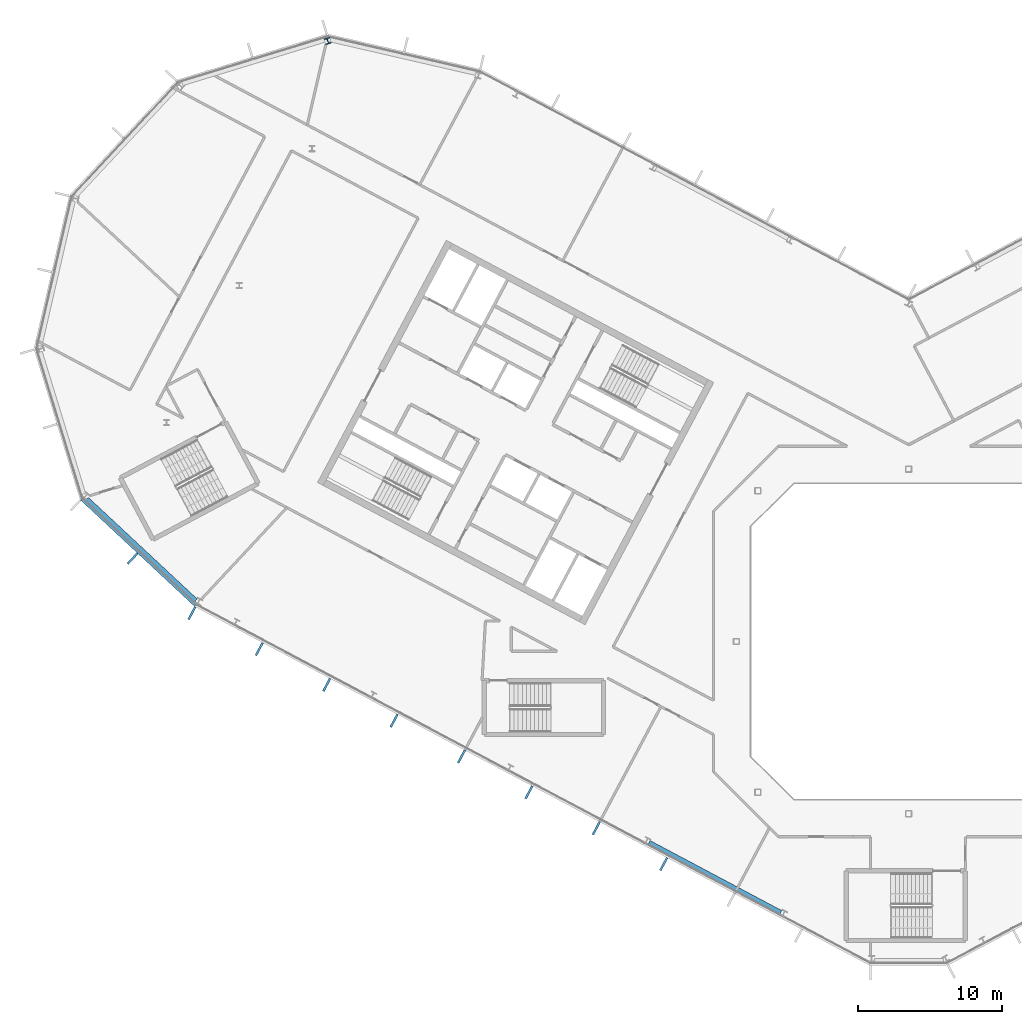
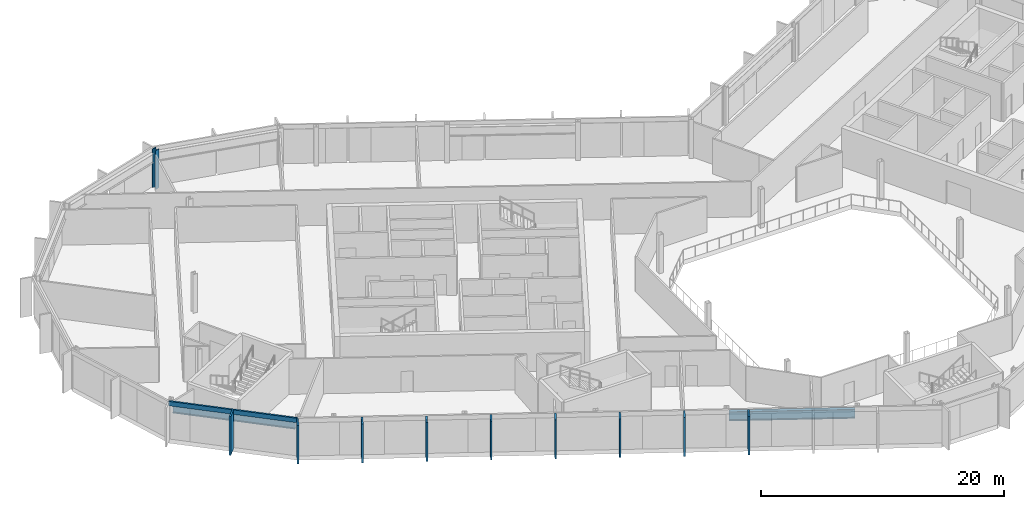
# One storey, part 8 of 26: 10 members, 2 beams, 1 column, 2 elements without a shape of their own.
"""IFC4 building model written with IfcOpenShell, lengths in metres."""

from ifc_helpers import new_model, si_unit, direction, frame, origin, origin_2d, place, context, subcontext, project, spatial, rectangle, i_section, extrude, material, layer, layer_set, material_profile, profile_set, type_object, element, aggregate, save


model = new_model("IFC4")

# Units and contexts
model_context = context("Model", 3, precision=1e-05, world=origin(), true_north=direction((0.0, 1.0)))
body_context = subcontext(model_context, "Body", "Model", "MODEL_VIEW")
ifc_project = project(units=[si_unit("LENGTHUNIT", "METRE"), si_unit("AREAUNIT", "SQUARE_METRE"), si_unit("VOLUMEUNIT", "CUBIC_METRE"), si_unit("PLANEANGLEUNIT", "RADIAN"), si_unit("MASSUNIT", "GRAM", prefix="KILO")], contexts=[model_context])

# Site, building, storey
site_placement = place(None, origin())
site = spatial("IfcSite", under=ifc_project, at=site_placement, CompositionType="ELEMENT")
building_placement = place(site_placement, origin())
building = spatial("IfcBuilding", under=site, at=building_placement, Name="Cormorant Relay Tower", CompositionType="ELEMENT")
storey_placement = place(building_placement, frame((0.0, 0.0, 320.39990234375)))
storey = spatial("IfcBuildingStorey", under=building, at=storey_placement, Name="L73", CompositionType="ELEMENT", Elevation=320.39990234375)

# Column
ifc_material_1 = material(Name="Steel ASTM A992 (Fy 345 MPa)", Category="steel")
ifc_material_profile_1 = material_profile(ifc_material_1, i_section(OverallWidth=0.40380859375, OverallDepth=0.406494140625, WebThickness=0.027099609375, FlangeThickness=0.043701171875, FilletRadius=0.01513671875, at=origin_2d()), Name="W360x347")
ifc_profile_set_1 = profile_set([ifc_material_profile_1], Name="Steel ASTM A992 (Fy 345 MPa)")
column_type = type_object("IfcColumnType", Name="Column W360x347", PredefinedType="COLUMN", material=ifc_profile_set_1)
column_placement = place(storey_placement, frame((-40.455078125, 41.823974609375, 0.0), z_axis=(0.0, 0.0, 1.0), x_axis=(-0.956304755963, -0.292371704723, 0.0)))
element("IfcColumn", 1, at=column_placement, inside=storey, type_object=column_type, Name="Column L73-043", PredefinedType="COLUMN", context=body_context, shape_type="SweptSolid", body=[
    extrude(i_section(OverallWidth=0.40380859375, OverallDepth=0.406494140625, WebThickness=0.027099609375, FlangeThickness=0.043701171875, FilletRadius=0.01513671875, at=origin_2d()), origin(), (0.0, 0.0, 1.0), 3.900146484375),
])

# Curtain wall, member
ifc_material_2 = material(Name="Aluminium 6063-T6 anodised bronze", Category="aluminium")
ifc_layer = layer(ifc_material_2, 0.199951171875)
ifc_layer_set = layer_set([ifc_layer], Name="CW1 unitised bronze curtain wall with vertical fins")
curtain_wall_type = type_object("IfcCurtainWallType", Name="CW1 unitised bronze curtain wall with vertical fins", PredefinedType="NOTDEFINED", material=ifc_layer_set)
curtain_wall_1_placement = place(storey_placement, origin())
curtain_wall_1 = element("IfcCurtainWall", 2, at=curtain_wall_1_placement, inside=storey, type_object=curtain_wall_type, Name="CW1 curtain wall 15", PredefinedType="NOTDEFINED")
ifc_material_3 = material(Name="Aluminium 6063-T6 anodised bronze", Category="aluminium")
ifc_material_profile_2 = material_profile(ifc_material_3, rectangle(XDim=0.14990234375, YDim=1.0, at=origin_2d()), Name="AL 150x1000")
ifc_profile_set_2 = profile_set([ifc_material_profile_2], Name="Aluminium 6063-T6 anodised bronze")
member_type_1 = type_object("IfcMemberType", Name="CW1 bronze fin mullion 150 x 1000", PredefinedType="MULLION", material=ifc_profile_set_2)
member_1_placement = place(storey_placement, frame((-54.0439453125, 5.779296875, 0.0), z_axis=(0.0, 0.0, 1.0), x_axis=(0.731353701619, -0.681998360062, 0.0)))
member_1 = element("IfcMember", 3, at=member_1_placement, type_object=member_type_1, Name="CW1 fin 15.2", PredefinedType="MULLION", context=body_context, shape_type="SweptSolid", body=[
    extrude(rectangle(XDim=0.14990234375, YDim=1.0, at=origin_2d()), origin(), (0.0, 0.0, 1.0), 3.900146484375),
])

# Curtain wall, members
curtain_wall_2_placement = place(storey_placement, origin())
curtain_wall_2 = element("IfcCurtainWall", 4, at=curtain_wall_2_placement, inside=storey, type_object=curtain_wall_type, Name="CW1 curtain wall 16", PredefinedType="NOTDEFINED")
member_2_placement = place(storey_placement, frame((-49.920166015625, 1.96630859375, 0.0), z_axis=(0.0, 0.0, 1.0), x_axis=(0.882947592859, -0.469471562786, 0.0)))
member_2 = element("IfcMember", 5, at=member_2_placement, type_object=member_type_1, Name="CW1 fin 16.1", PredefinedType="MULLION", context=body_context, shape_type="SweptSolid", body=[
    extrude(rectangle(XDim=0.14990234375, YDim=1.0, at=origin_2d()), origin(), (0.0, 0.0, 1.0), 3.900146484375),
])
member_3_placement = place(storey_placement, frame((-45.225830078125, -0.52978515625, 0.0), z_axis=(0.0, 0.0, 1.0), x_axis=(0.882947592859, -0.469471562786, 0.0)))
member_3 = element("IfcMember", 6, at=member_3_placement, type_object=member_type_1, Name="CW1 fin 16.2", PredefinedType="MULLION", context=body_context, shape_type="SweptSolid", body=[
    extrude(rectangle(XDim=0.14990234375, YDim=1.0, at=origin_2d()), origin(), (0.0, 0.0, 1.0), 3.900146484375),
])
member_4_placement = place(storey_placement, frame((-40.531494140625, -3.025634765625, 0.0), z_axis=(0.0, 0.0, 1.0), x_axis=(0.882947592859, -0.469471562786, 0.0)))
member_4 = element("IfcMember", 7, at=member_4_placement, type_object=member_type_1, Name="CW1 fin 16.3", PredefinedType="MULLION", context=body_context, shape_type="SweptSolid", body=[
    extrude(rectangle(XDim=0.14990234375, YDim=1.0, at=origin_2d()), origin(), (0.0, 0.0, 1.0), 3.900146484375),
])
member_5_placement = place(storey_placement, frame((-35.83740234375, -5.521728515625, 0.0), z_axis=(0.0, 0.0, 1.0), x_axis=(0.882947592859, -0.469471562786, 0.0)))
member_5 = element("IfcMember", 8, at=member_5_placement, type_object=member_type_1, Name="CW1 fin 16.4", PredefinedType="MULLION", context=body_context, shape_type="SweptSolid", body=[
    extrude(rectangle(XDim=0.14990234375, YDim=1.0, at=origin_2d()), origin(), (0.0, 0.0, 1.0), 3.900146484375),
])
member_6_placement = place(storey_placement, frame((-31.14306640625, -8.017578125, 0.0), z_axis=(0.0, 0.0, 1.0), x_axis=(0.882947592859, -0.469471562786, 0.0)))
member_6 = element("IfcMember", 9, at=member_6_placement, type_object=member_type_1, Name="CW1 fin 16.5", PredefinedType="MULLION", context=body_context, shape_type="SweptSolid", body=[
    extrude(rectangle(XDim=0.14990234375, YDim=1.0, at=origin_2d()), origin(), (0.0, 0.0, 1.0), 3.900146484375),
])
member_7_placement = place(storey_placement, frame((-26.44873046875, -10.513671875, 0.0), z_axis=(0.0, 0.0, 1.0), x_axis=(0.882947592859, -0.469471562786, 0.0)))
member_7 = element("IfcMember", 10, at=member_7_placement, type_object=member_type_1, Name="CW1 fin 16.6", PredefinedType="MULLION", context=body_context, shape_type="SweptSolid", body=[
    extrude(rectangle(XDim=0.14990234375, YDim=1.0, at=origin_2d()), origin(), (0.0, 0.0, 1.0), 3.900146484375),
])
member_8_placement = place(storey_placement, frame((-21.754638671875, -13.009765625, 0.0), z_axis=(0.0, 0.0, 1.0), x_axis=(0.882947592859, -0.469471562786, 0.0)))
member_8 = element("IfcMember", 11, at=member_8_placement, type_object=member_type_1, Name="CW1 fin 16.7", PredefinedType="MULLION", context=body_context, shape_type="SweptSolid", body=[
    extrude(rectangle(XDim=0.14990234375, YDim=1.0, at=origin_2d()), origin(), (0.0, 0.0, 1.0), 3.900146484375),
])
member_9_placement = place(storey_placement, frame((-17.060302734375, -15.505615234375, 0.0), z_axis=(0.0, 0.0, 1.0), x_axis=(0.882947592859, -0.469471562786, 0.0)))
member_9 = element("IfcMember", 12, at=member_9_placement, type_object=member_type_1, Name="CW1 fin 16.8", PredefinedType="MULLION", context=body_context, shape_type="SweptSolid", body=[
    extrude(rectangle(XDim=0.14990234375, YDim=1.0, at=origin_2d()), origin(), (0.0, 0.0, 1.0), 3.900146484375),
])
aggregate(curtain_wall_2, [member_2, member_3, member_4, member_5, member_6, member_7, member_8, member_9])

# Member
ifc_material_4 = material(Name="Aluminium 6063-T6 anodised bronze", Category="aluminium")
ifc_material_profile_3 = material_profile(ifc_material_4, rectangle(XDim=0.159912109375, YDim=0.449951171875, at=origin_2d()), Name="AL 160x450")
ifc_profile_set_3 = profile_set([ifc_material_profile_3], Name="Aluminium 6063-T6 anodised bronze")
member_type_2 = type_object("IfcMemberType", Name="CW1 bronze transom 160 x 450", PredefinedType="USERDEFINED", material=ifc_profile_set_3)
member_10_placement = place(storey_placement, frame((-57.62353515625, 9.91015625, 3.675048828125), z_axis=(0.731358420696, -0.681993299437, 0.0), x_axis=(0.681993299437, 0.731358420696, 0.0)))
member_10 = element("IfcMember", 13, at=member_10_placement, type_object=member_type_2, Name="CW1 transom 15", ObjectType="TRANSOM", PredefinedType="USERDEFINED", context=body_context, shape_type="SweptSolid", body=[
    extrude(rectangle(XDim=0.159912109375, YDim=0.449951171875, at=origin_2d()), origin(), (0.0, 0.0, 1.0), 10.870361328125),
])

aggregate(curtain_wall_1, [member_1, member_10])

# Beams
ifc_material_5 = material(Name="Steel ASTM A992 (Fy 345 MPa)", Category="steel")
ifc_material_profile_4 = material_profile(ifc_material_5, i_section(OverallWidth=0.307373046875, OverallDepth=0.927001953125, WebThickness=0.019287109375, FlangeThickness=0.031982421875, FilletRadius=0.01904296875, at=origin_2d()), Name="W920x289")
ifc_profile_set_4 = profile_set([ifc_material_profile_4], Name="Steel ASTM A992 (Fy 345 MPa)")
beam_type = type_object("IfcBeamType", Name="Spandrel W920x289", PredefinedType="SPANDREL", material=ifc_profile_set_4)
beam_1_placement = place(storey_placement, frame((-57.234619140625, 9.921630859375, 3.076416015625), z_axis=(0.731364191518, -0.681987110849, 0.0), x_axis=(0.681987110849, 0.731364191518, 0.0)))
element("IfcBeam", 14, at=beam_1_placement, inside=storey, type_object=beam_type, Name="Spandrel beam L73-015", PredefinedType="SPANDREL", context=body_context, shape_type="SweptSolid", body=[
    extrude(i_section(OverallWidth=0.307373046875, OverallDepth=0.927001953125, WebThickness=0.019287109375, FlangeThickness=0.031982421875, FilletRadius=0.01904296875, at=origin_2d()), origin(), (0.0, 0.0, 1.0), 10.37841796875),
])
beam_2_placement = place(storey_placement, frame((-18.0869140625, -13.992919921875, 3.076416015625), z_axis=(0.882946088703, -0.469474391681, 0.0), x_axis=(0.469474391681, 0.882946088703, 0.0)))
element("IfcBeam", 15, at=beam_2_placement, inside=storey, type_object=beam_type, Name="Spandrel beam L73-016", PredefinedType="SPANDREL", context=body_context, shape_type="SweptSolid", body=[
    extrude(i_section(OverallWidth=0.307373046875, OverallDepth=0.927001953125, WebThickness=0.019287109375, FlangeThickness=0.031982421875, FilletRadius=0.01904296875, at=origin_2d()), origin(), (0.0, 0.0, 1.0), 10.401611328125),
])

save(model, "model.ifc")
